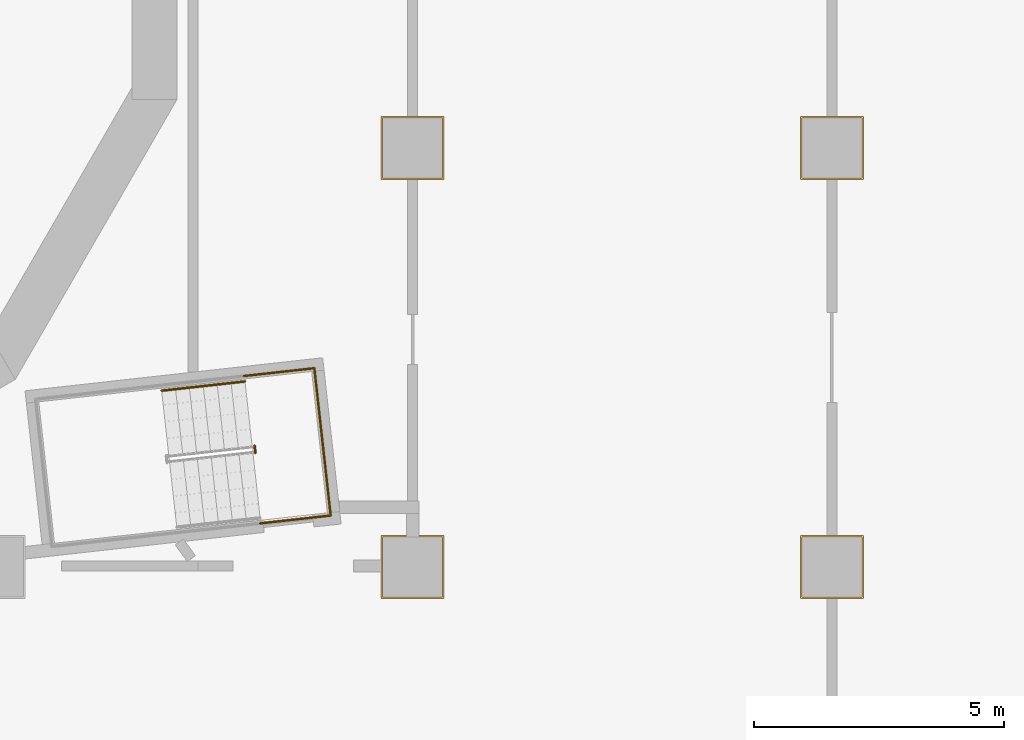
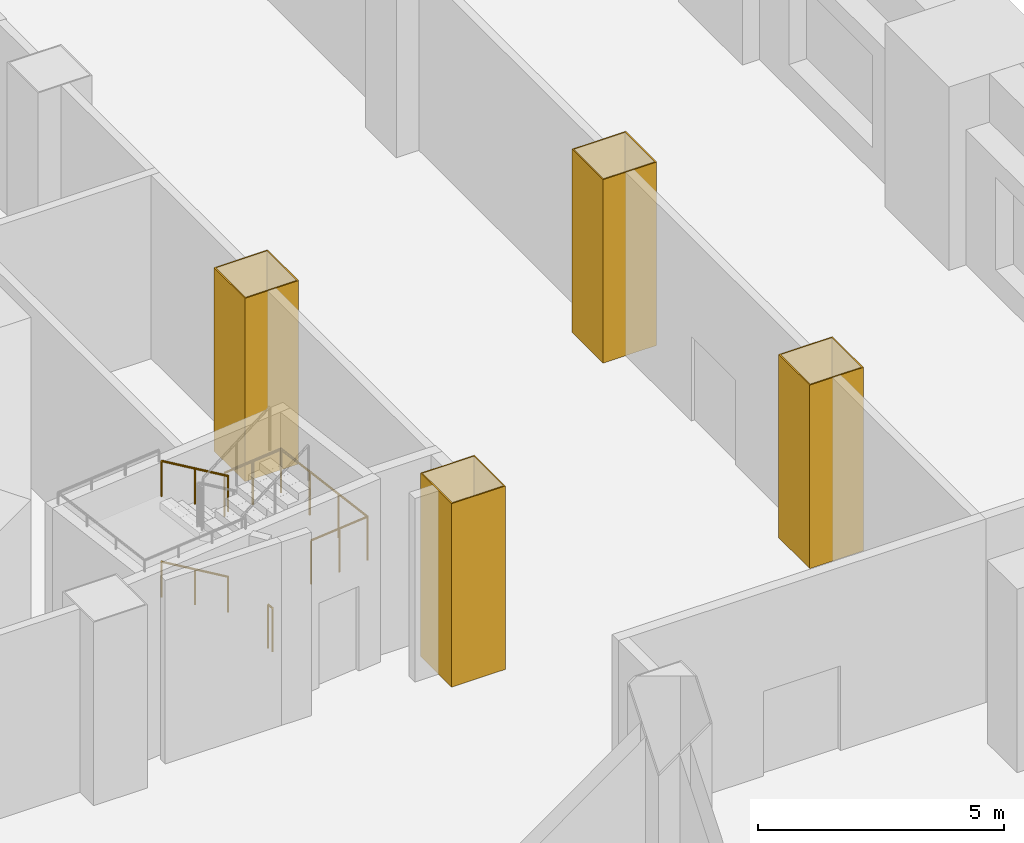
# One storey, part 11 of 17: 4 coverings, 4 railings.
"""IFC4 building model written with IfcOpenShell, lengths in metres."""

from ifc_helpers import new_model, si_unit, direction, frame, origin, origin_2d, place, context, subcontext, project, spatial, polyline, circle, outline, extrude, material, layer, layer_set, type_object, element, save


model = new_model("IFC4")

# Units and contexts
model_context = context("Model", 3, precision=1e-05, world=origin(), true_north=direction((0.0, 1.0)))
body_context = subcontext(model_context, "Body", "Model", "MODEL_VIEW")
ifc_project = project(units=[si_unit("LENGTHUNIT", "METRE"), si_unit("AREAUNIT", "SQUARE_METRE"), si_unit("VOLUMEUNIT", "CUBIC_METRE"), si_unit("PLANEANGLEUNIT", "RADIAN"), si_unit("MASSUNIT", "GRAM", prefix="KILO")], contexts=[model_context])

# Site, building, storey
site_placement = place(None, origin())
site = spatial("IfcSite", under=ifc_project, at=site_placement, CompositionType="ELEMENT")
building_placement = place(site_placement, origin())
building = spatial("IfcBuilding", under=site, at=building_placement, Name="Cantera Rosa Tower", CompositionType="ELEMENT")
storey_placement = place(building_placement, frame((0.0, 0.0, 32.0)))
storey = spatial("IfcBuildingStorey", under=building, at=storey_placement, Name="L05", CompositionType="ELEMENT", Elevation=32.0)

# Coverings
ifc_material_1 = material(Name="Plaster")
ifc_layer = layer(ifc_material_1, 0.030029296875)
ifc_layer_set = layer_set([ifc_layer], Name="Column casing 30")
covering_type = type_object("IfcCoveringType", Name="Column casing 30", PredefinedType="CLADDING", material=ifc_layer_set)
covering_1_placement = place(storey_placement, origin())
element("IfcCovering", 1, at=covering_1_placement, inside=storey, type_object=covering_type, Name="Column casing L05-026", PredefinedType="CLADDING", context=body_context, shape_type="SweptSolid", body=[
    extrude(outline(polyline([(16.169921875, -13.22998046875), (17.429931640625, -13.22998046875), (17.429931640625, -11.969970703125), (16.169921875, -11.969970703125), (16.169921875, -13.22998046875)]), holes=[polyline([(17.39990234375, -12.0), (16.199951171875, -12.0), (16.199951171875, -13.199951171875), (17.39990234375, -13.199951171875), (17.39990234375, -12.0)])]), origin(), (0.0, 0.0, 1.0), 4.550048828125),
])
covering_2_placement = place(storey_placement, origin())
element("IfcCovering", 2, at=covering_2_placement, inside=storey, type_object=covering_type, Name="Column casing L05-027", PredefinedType="CLADDING", context=body_context, shape_type="SweptSolid", body=[
    extrude(outline(polyline([(16.169921875, -4.830078125), (17.429931640625, -4.830078125), (17.429931640625, -3.570068359375), (16.169921875, -3.570068359375), (16.169921875, -4.830078125)]), holes=[polyline([(17.39990234375, -3.60009765625), (16.199951171875, -3.60009765625), (16.199951171875, -4.800048828125), (17.39990234375, -4.800048828125), (17.39990234375, -3.60009765625)])]), origin(), (0.0, 0.0, 1.0), 4.550048828125),
])
covering_3_placement = place(storey_placement, origin())
element("IfcCovering", 3, at=covering_3_placement, inside=storey, type_object=covering_type, Name="Column casing L05-032", PredefinedType="CLADDING", context=body_context, shape_type="SweptSolid", body=[
    extrude(outline(polyline([(24.570068359375, -13.22998046875), (25.830078125, -13.22998046875), (25.830078125, -11.969970703125), (24.570068359375, -11.969970703125), (24.570068359375, -13.22998046875)]), holes=[polyline([(25.800048828125, -12.0), (24.60009765625, -12.0), (24.60009765625, -13.199951171875), (25.800048828125, -13.199951171875), (25.800048828125, -12.0)])]), origin(), (0.0, 0.0, 1.0), 4.550048828125),
])
covering_4_placement = place(storey_placement, origin())
element("IfcCovering", 4, at=covering_4_placement, inside=storey, type_object=covering_type, Name="Column casing L05-033", PredefinedType="CLADDING", context=body_context, shape_type="SweptSolid", body=[
    extrude(outline(polyline([(24.570068359375, -4.830078125), (25.830078125, -4.830078125), (25.830078125, -3.570068359375), (24.570068359375, -3.570068359375), (24.570068359375, -4.830078125)]), holes=[polyline([(25.800048828125, -3.60009765625), (24.60009765625, -3.60009765625), (24.60009765625, -4.800048828125), (25.800048828125, -4.800048828125), (25.800048828125, -3.60009765625)])]), origin(), (0.0, 0.0, 1.0), 4.550048828125),
])

# Railings
ifc_material_2 = material(Name="Steel S355J2 (EN 10025-2)", Category="steel")
railing_type_1 = type_object("IfcRailingType", Name="STAIR GUARD 1100", PredefinedType="GUARDRAIL", material=ifc_material_2)
railing_1_placement = place(storey_placement, frame((13.6328125, -10.16552734375, 0.0)))
element("IfcRailing", 5, at=railing_1_placement, inside=storey, type_object=railing_type_1, Name="L05 ST-14 stair guard 5", PredefinedType="GUARDRAIL", context=body_context, shape_type="SweptSolid", body=[
    extrude(circle(Radius=0.02392578125, at=origin_2d()), frame((0.0, 0.0, 1.076171875), z_axis=(0.110610055588, -0.993863881828, 0.0), x_axis=(0.993863881828, 0.110610055588, 0.0)), (0.0, 0.0, 1.0), 0.150146484375),
    extrude(circle(Radius=0.02099609375, at=origin_2d()), origin(), (0.0, 0.0, 1.0), 1.052001953125),
    extrude(circle(Radius=0.02099609375, at=origin_2d()), frame((0.0166015625, -0.149169921875, 0.0)), (0.0, 0.0, 1.0), 1.052001953125),
])
railing_2_placement = place(storey_placement, frame((13.415771484375, -8.77099609375, 2.5)))
element("IfcRailing", 6, at=railing_2_placement, inside=storey, type_object=railing_type_1, Name="L05 ST-14 stair guard 8", PredefinedType="GUARDRAIL", context=body_context, shape_type="SweptSolid", body=[
    extrude(circle(Radius=0.02392578125, at=origin_2d()), frame((0.0, 0.0, 1.076171875), z_axis=(0.993887921413, 0.110393838913, 0.0), x_axis=(-0.110393838913, 0.993887921413, 0.0)), (0.0, 0.0, 1.0), 1.422119140625),
    extrude(circle(Radius=0.02392578125, at=origin_2d()), frame((1.413330078125, 0.156982421875, 1.076171875), z_axis=(0.110314237986, -0.993896759678, 0.0), x_axis=(0.993896759678, 0.110314237986, 0.0)), (0.0, 0.0, 1.0), 2.969970703125),
    extrude(circle(Radius=0.02392578125, at=origin_2d()), frame((1.740966796875, -2.794921875, 1.076171875), z_axis=(-0.993887921413, -0.110393838913, 0.0), x_axis=(0.110393838913, -0.993887921413, 0.0)), (0.0, 0.0, 1.0), 1.422119140625),
    extrude(circle(Radius=0.02099609375, at=origin_2d()), origin(), (0.0, 0.0, 1.0), 1.052001953125),
    extrude(circle(Radius=0.02099609375, at=origin_2d()), frame((0.70654296875, 0.07861328125, 0.0)), (0.0, 0.0, 1.0), 1.052001953125),
    extrude(circle(Radius=0.02099609375, at=origin_2d()), frame((1.413330078125, 0.156982421875, 0.0)), (0.0, 0.0, 1.0), 1.052001953125),
    extrude(circle(Radius=0.02099609375, at=origin_2d()), frame((1.5224609375, -0.826904296875, 0.0)), (0.0, 0.0, 1.0), 1.052001953125),
    extrude(circle(Radius=0.02099609375, at=origin_2d()), frame((1.6318359375, -1.81103515625, 0.0)), (0.0, 0.0, 1.0), 1.052001953125),
    extrude(circle(Radius=0.02099609375, at=origin_2d()), frame((1.740966796875, -2.794921875, 0.0)), (0.0, 0.0, 1.0), 1.052001953125),
    extrude(circle(Radius=0.02099609375, at=origin_2d()), frame((1.0341796875, -2.87353515625, 0.0)), (0.0, 0.0, 1.0), 1.052001953125),
    extrude(circle(Radius=0.02099609375, at=origin_2d()), frame((0.32763671875, -2.951904296875, 0.0)), (0.0, 0.0, 1.0), 1.052001953125),
])
ifc_material_3 = material(Name="Steel S355J2 (EN 10025-2)", Category="steel")
railing_type_2 = type_object("IfcRailingType", Name="STAIR HANDRAIL 900", PredefinedType="HANDRAIL", material=ifc_material_3)
for number, where, name in (
    (7, (13.439697265625, -8.87890625, 0.178466796875), "L05 ST-14 stair handrail 1"),
    (8, (13.439697265625, -8.87890625, 2.678466796875), "L05 ST-14 stair handrail 3"),
):
    element("IfcRailing", number, at=place(storey_placement, frame(where)), inside=storey, type_object=railing_type_2, Name=name, PredefinedType="HANDRAIL", context=body_context, shape_type="SweptSolid", body=[
        extrude(circle(Radius=0.02392578125, at=origin_2d()), frame((0.0, 0.0, 0.8759765625), z_axis=(-0.837950904326, -0.092996744609, 0.537763784046), x_axis=(0.110303920128, -0.993897904819, 0.0)), (0.0, 0.0, 1.0), 1.99267578125),
        extrude(circle(Radius=0.02099609375, at=origin_2d()), origin(), (0.0, 0.0, 1.0), 0.851806640625),
        extrude(circle(Radius=0.02099609375, at=origin_2d()), frame((-0.8349609375, -0.0927734375, 0.53564453125)), (0.0, 0.0, 1.0), 0.851806640625),
        extrude(circle(Radius=0.02099609375, at=origin_2d()), frame((-1.669677734375, -0.185302734375, 1.071533203125)), (0.0, 0.0, 1.0), 0.851806640625),
    ])

save(model, "model.ifc")
